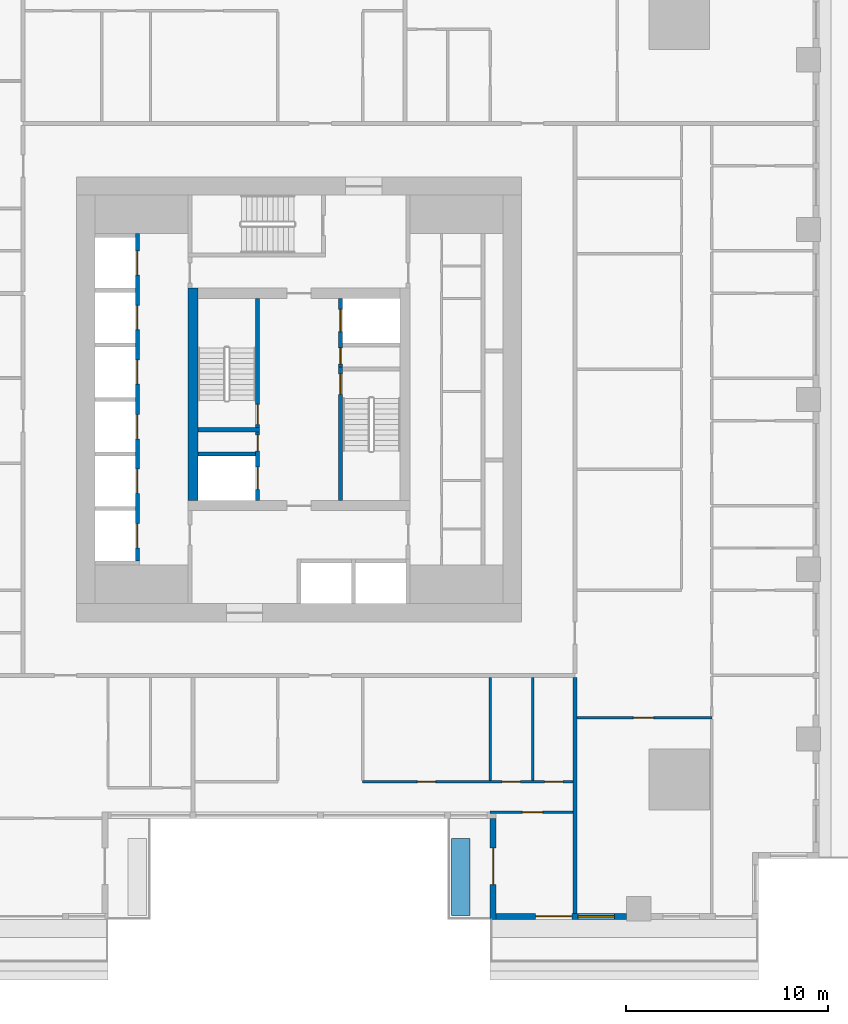
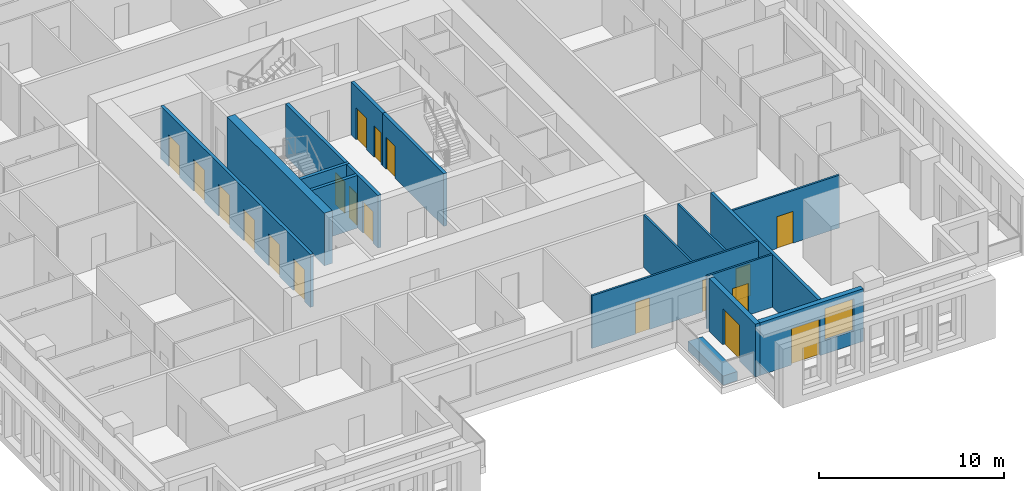
# One storey, part 4 of 15: 19 doors, 17 walls, 1 window, 20 openings.
"""IFC4 building model written with IfcOpenShell, lengths in metres."""

from ifc_helpers import new_model, si_unit, direction, frame, frame_2d, origin, place, context, subcontext, project, spatial, rectangle, extrude, material, layer, layer_set, type_object, element, fill, save


model = new_model("IFC4")

# Units and contexts
model_context = context("Model", 3, precision=1e-05, world=origin(), true_north=direction((0.0, 1.0)))
body_context = subcontext(model_context, "Body", "Model", "MODEL_VIEW")
ifc_project = project(units=[si_unit("LENGTHUNIT", "METRE"), si_unit("AREAUNIT", "SQUARE_METRE"), si_unit("VOLUMEUNIT", "CUBIC_METRE"), si_unit("PLANEANGLEUNIT", "RADIAN"), si_unit("MASSUNIT", "GRAM", prefix="KILO")], contexts=[model_context])

# Site, building, storey
site_placement = place(None, origin())
site = spatial("IfcSite", under=ifc_project, at=site_placement, CompositionType="ELEMENT")
building_placement = place(site_placement, origin())
building = spatial("IfcBuilding", under=site, at=building_placement, Name="Khepri Terraces", CompositionType="ELEMENT")
storey_placement = place(building_placement, frame((0.0, 0.0, 50.39990234375)))
storey = spatial("IfcBuildingStorey", under=building, at=storey_placement, Name="L11", CompositionType="ELEMENT", Elevation=50.39990234375)

# Wall, opening, door
ifc_material_1 = material(Name="Concrete C80/95", Category="concrete")
ifc_layer_1 = layer(ifc_material_1, 0.199951171875, Name="Concrete C80/95", Category="concrete")
ifc_layer_set_1 = layer_set([ifc_layer_1], Name="Concrete C80/95")
wall_type_1 = type_object("IfcWallType", Name="Core wall 200 C80/95", PredefinedType="SHEAR", material=ifc_layer_set_1)
wall_1_placement = place(storey_placement, frame((2.050048828125, -5.0, 0.0), z_axis=(0.0, 0.0, 1.0), x_axis=(0.0, 1.0, 0.0)))
wall_1 = element("IfcWall", 1, at=wall_1_placement, inside=storey, type_object=wall_type_1, Name="Core wall ST01 L11", PredefinedType="SHEAR", context=body_context, shape_type="SweptSolid", body=[
    extrude(rectangle(XDim=6.60009765625, YDim=0.199951171875, at=frame_2d((3.300048828125, 0.0))), origin(), (0.0, 0.0, 1.0), 3.47998046875),
])
opening_1_placement = place(wall_1_placement, frame((5.25, 0.0, 0.0)))
opening_1 = element("IfcOpeningElement", 2, at=opening_1_placement, cuts=wall_1, Name="Opening L11-C10", PredefinedType="OPENING", context=body_context, shape_type="SweptSolid", body=[
    extrude(rectangle(XDim=1.0, YDim=2.10009765625, at=frame_2d((0.5, 1.050048828125))), frame((0.0, 0.10986328125, 0.0), z_axis=(0.0, -1.0, 0.0), x_axis=(1.0, 0.0, 0.0)), (0.0, 0.0, 1.0), 0.219970703125),
])
ifc_material_2 = material(Name="Painted steel", Category="steel")
door_type_1 = type_object("IfcDoorType", Name="DR-CORE-STAIR-1000", OperationType="NOTDEFINED", PredefinedType="DOOR", material=ifc_material_2)
door_1_placement = place(opening_1_placement, frame((1.0, 0.0, 0.0), z_axis=(0.0, 0.0, 1.0), x_axis=(-1.0, 0.0, 0.0)))
door_1 = element("IfcDoor", 3, at=door_1_placement, inside=storey, type_object=door_type_1, Name="Stair door L11-C10", OperationType="SINGLE_SWING_LEFT", OverallHeight=2.10009765625, OverallWidth=1.0, PredefinedType="DOOR", context=body_context, shape_type="SweptSolid", body=[
    extrude(rectangle(XDim=1.0, YDim=2.10009765625, at=frame_2d((0.5, 1.050048828125))), frame((0.0, 0.02490234375, 0.0), z_axis=(0.0, -1.0, 0.0), x_axis=(1.0, 0.0, 0.0)), (0.0, 0.0, 1.0), 0.050048828125),
])
fill(opening_1, door_1)

# Wall
wall_2_placement = place(storey_placement, frame((-5.0, -1.5, 0.0), z_axis=(0.0, 0.0, 1.0), x_axis=(1.0, 0.0, 0.0)))
element("IfcWall", 4, at=wall_2_placement, inside=storey, type_object=wall_type_1, Name="Core wall ST02 L11", PredefinedType="SHEAR", context=body_context, shape_type="SweptSolid", body=[
    extrude(rectangle(XDim=3.050048828125, YDim=0.199951171875, at=frame_2d((1.52490234375, 0.0))), origin(), (0.0, 0.0, 1.0), 3.47998046875),
])

# Wall, opening, door
wall_3_placement = place(storey_placement, frame((-2.050048828125, -1.39990234375, 0.0), z_axis=(0.0, 0.0, 1.0), x_axis=(0.0, 1.0, 0.0)))
wall_3 = element("IfcWall", 5, at=wall_3_placement, inside=storey, type_object=wall_type_1, Name="Core wall ST03 L11", PredefinedType="SHEAR", context=body_context, shape_type="SweptSolid", body=[
    extrude(rectangle(XDim=6.39990234375, YDim=0.199951171875, at=frame_2d((3.199951171875, 0.0))), origin(), (0.0, 0.0, 1.0), 3.47998046875),
])
opening_2_placement = place(wall_3_placement, frame((0.14990234375, 0.0, 0.0)))
opening_2 = element("IfcOpeningElement", 6, at=opening_2_placement, cuts=wall_3, Name="Opening L11-C09", PredefinedType="OPENING", context=body_context, shape_type="SweptSolid", body=[
    extrude(rectangle(XDim=1.0, YDim=2.10009765625, at=frame_2d((0.5, 1.050048828125))), frame((0.0, 0.10986328125, 0.0), z_axis=(0.0, -1.0, 0.0), x_axis=(1.0, 0.0, 0.0)), (0.0, 0.0, 1.0), 0.219970703125),
])
door_2_placement = place(opening_2_placement, origin())
door_2 = element("IfcDoor", 7, at=door_2_placement, inside=storey, type_object=door_type_1, Name="Stair door L11-C09", OperationType="SINGLE_SWING_LEFT", OverallHeight=2.10009765625, OverallWidth=1.0, PredefinedType="DOOR", context=body_context, shape_type="SweptSolid", body=[
    extrude(rectangle(XDim=1.0, YDim=2.10009765625, at=frame_2d((0.5, 1.050048828125))), frame((0.0, 0.02490234375, 0.0), z_axis=(0.0, -1.0, 0.0), x_axis=(1.0, 0.0, 0.0)), (0.0, 0.0, 1.0), 0.050048828125),
])
fill(opening_2, door_2)

# Wall, openings, doors
wall_4_placement = place(storey_placement, frame((-8.0, -8.0, 0.0), z_axis=(0.0, 0.0, 1.0), x_axis=(0.0, 1.0, 0.0)))
wall_4 = element("IfcWall", 8, at=wall_4_placement, inside=storey, type_object=wall_type_1, Name="Core wall SH08 L11", PredefinedType="SHEAR", context=body_context, shape_type="SweptSolid", body=[
    extrude(rectangle(XDim=16.199951171875, YDim=0.199951171875, at=frame_2d((8.10009765625, 0.0))), origin(), (0.0, 0.0, 1.0), 3.47998046875),
])
opening_3_placement = place(wall_4_placement, frame((0.64990234375, 0.0, 0.0)))
opening_3 = element("IfcOpeningElement", 9, at=opening_3_placement, cuts=wall_4, Name="Opening L11-C01", PredefinedType="OPENING", context=body_context, shape_type="SweptSolid", body=[
    extrude(rectangle(XDim=1.199951171875, YDim=2.10009765625, at=frame_2d((0.60009765625, 1.050048828125))), frame((0.0, 0.10986328125, 0.0), z_axis=(0.0, -1.0, 0.0), x_axis=(1.0, 0.0, 0.0)), (0.0, 0.0, 1.0), 0.219970703125),
])
opening_4_placement = place(wall_4_placement, frame((3.35009765625, 0.0, 0.0)))
opening_4 = element("IfcOpeningElement", 10, at=opening_4_placement, cuts=wall_4, Name="Opening L11-C02", PredefinedType="OPENING", context=body_context, shape_type="SweptSolid", body=[
    extrude(rectangle(XDim=1.199951171875, YDim=2.10009765625, at=frame_2d((0.60009765625, 1.050048828125))), frame((0.0, 0.10986328125, 0.0), z_axis=(0.0, -1.0, 0.0), x_axis=(1.0, 0.0, 0.0)), (0.0, 0.0, 1.0), 0.219970703125),
])
opening_5_placement = place(wall_4_placement, frame((6.050048828125, 0.0, 0.0)))
opening_5 = element("IfcOpeningElement", 11, at=opening_5_placement, cuts=wall_4, Name="Opening L11-C03", PredefinedType="OPENING", context=body_context, shape_type="SweptSolid", body=[
    extrude(rectangle(XDim=1.199951171875, YDim=2.10009765625, at=frame_2d((0.60009765625, 1.050048828125))), frame((0.0, 0.10986328125, 0.0), z_axis=(0.0, -1.0, 0.0), x_axis=(1.0, 0.0, 0.0)), (0.0, 0.0, 1.0), 0.219970703125),
])
opening_6_placement = place(wall_4_placement, frame((8.75, 0.0, 0.0)))
opening_6 = element("IfcOpeningElement", 12, at=opening_6_placement, cuts=wall_4, Name="Opening L11-C04", PredefinedType="OPENING", context=body_context, shape_type="SweptSolid", body=[
    extrude(rectangle(XDim=1.199951171875, YDim=2.10009765625, at=frame_2d((0.60009765625, 1.050048828125))), frame((0.0, 0.10986328125, 0.0), z_axis=(0.0, -1.0, 0.0), x_axis=(1.0, 0.0, 0.0)), (0.0, 0.0, 1.0), 0.219970703125),
])
opening_7_placement = place(wall_4_placement, frame((11.449951171875, 0.0, 0.0)))
opening_7 = element("IfcOpeningElement", 13, at=opening_7_placement, cuts=wall_4, Name="Opening L11-C05", PredefinedType="OPENING", context=body_context, shape_type="SweptSolid", body=[
    extrude(rectangle(XDim=1.199951171875, YDim=2.10009765625, at=frame_2d((0.60009765625, 1.050048828125))), frame((0.0, 0.10986328125, 0.0), z_axis=(0.0, -1.0, 0.0), x_axis=(1.0, 0.0, 0.0)), (0.0, 0.0, 1.0), 0.219970703125),
])
opening_8_placement = place(wall_4_placement, frame((14.14990234375, 0.0, 0.0)))
opening_8 = element("IfcOpeningElement", 14, at=opening_8_placement, cuts=wall_4, Name="Opening L11-C06", PredefinedType="OPENING", context=body_context, shape_type="SweptSolid", body=[
    extrude(rectangle(XDim=1.199951171875, YDim=2.10009765625, at=frame_2d((0.60009765625, 1.050048828125))), frame((0.0, 0.10986328125, 0.0), z_axis=(0.0, -1.0, 0.0), x_axis=(1.0, 0.0, 0.0)), (0.0, 0.0, 1.0), 0.219970703125),
])
ifc_material_3 = material(Name="Stainless steel 304", Category="steel")
door_type_2 = type_object("IfcDoorType", Name="DR-CORE-LANDING-1200", OperationType="NOTDEFINED", PredefinedType="DOOR", material=ifc_material_3)
door_3_placement = place(opening_3_placement, origin())
door_3 = element("IfcDoor", 15, at=door_3_placement, inside=storey, type_object=door_type_2, Name="Lift landing door L11-C01", OperationType="SLIDING_TO_LEFT", OverallHeight=2.10009765625, OverallWidth=1.199951171875, PredefinedType="DOOR", context=body_context, shape_type="SweptSolid", body=[
    extrude(rectangle(XDim=1.199951171875, YDim=2.10009765625, at=frame_2d((0.60009765625, 1.050048828125))), frame((0.0, 0.02490234375, 0.0), z_axis=(0.0, -1.0, 0.0), x_axis=(1.0, 0.0, 0.0)), (0.0, 0.0, 1.0), 0.050048828125),
])
fill(opening_3, door_3)
door_4_placement = place(opening_4_placement, origin())
door_4 = element("IfcDoor", 16, at=door_4_placement, inside=storey, type_object=door_type_2, Name="Lift landing door L11-C02", OperationType="SLIDING_TO_LEFT", OverallHeight=2.10009765625, OverallWidth=1.199951171875, PredefinedType="DOOR", context=body_context, shape_type="SweptSolid", body=[
    extrude(rectangle(XDim=1.199951171875, YDim=2.10009765625, at=frame_2d((0.60009765625, 1.050048828125))), frame((0.0, 0.02490234375, 0.0), z_axis=(0.0, -1.0, 0.0), x_axis=(1.0, 0.0, 0.0)), (0.0, 0.0, 1.0), 0.050048828125),
])
fill(opening_4, door_4)
door_5_placement = place(opening_5_placement, origin())
door_5 = element("IfcDoor", 17, at=door_5_placement, inside=storey, type_object=door_type_2, Name="Lift landing door L11-C03", OperationType="SLIDING_TO_LEFT", OverallHeight=2.10009765625, OverallWidth=1.199951171875, PredefinedType="DOOR", context=body_context, shape_type="SweptSolid", body=[
    extrude(rectangle(XDim=1.199951171875, YDim=2.10009765625, at=frame_2d((0.60009765625, 1.050048828125))), frame((0.0, 0.02490234375, 0.0), z_axis=(0.0, -1.0, 0.0), x_axis=(1.0, 0.0, 0.0)), (0.0, 0.0, 1.0), 0.050048828125),
])
fill(opening_5, door_5)
door_6_placement = place(opening_6_placement, origin())
door_6 = element("IfcDoor", 18, at=door_6_placement, inside=storey, type_object=door_type_2, Name="Lift landing door L11-C04", OperationType="SLIDING_TO_LEFT", OverallHeight=2.10009765625, OverallWidth=1.199951171875, PredefinedType="DOOR", context=body_context, shape_type="SweptSolid", body=[
    extrude(rectangle(XDim=1.199951171875, YDim=2.10009765625, at=frame_2d((0.60009765625, 1.050048828125))), frame((0.0, 0.02490234375, 0.0), z_axis=(0.0, -1.0, 0.0), x_axis=(1.0, 0.0, 0.0)), (0.0, 0.0, 1.0), 0.050048828125),
])
fill(opening_6, door_6)
door_7_placement = place(opening_7_placement, origin())
door_7 = element("IfcDoor", 19, at=door_7_placement, inside=storey, type_object=door_type_2, Name="Lift landing door L11-C05", OperationType="SLIDING_TO_LEFT", OverallHeight=2.10009765625, OverallWidth=1.199951171875, PredefinedType="DOOR", context=body_context, shape_type="SweptSolid", body=[
    extrude(rectangle(XDim=1.199951171875, YDim=2.10009765625, at=frame_2d((0.60009765625, 1.050048828125))), frame((0.0, 0.02490234375, 0.0), z_axis=(0.0, -1.0, 0.0), x_axis=(1.0, 0.0, 0.0)), (0.0, 0.0, 1.0), 0.050048828125),
])
fill(opening_7, door_7)
door_8_placement = place(opening_8_placement, origin())
door_8 = element("IfcDoor", 20, at=door_8_placement, inside=storey, type_object=door_type_2, Name="Lift landing door L11-C06", OperationType="SLIDING_TO_LEFT", OverallHeight=2.10009765625, OverallWidth=1.199951171875, PredefinedType="DOOR", context=body_context, shape_type="SweptSolid", body=[
    extrude(rectangle(XDim=1.199951171875, YDim=2.10009765625, at=frame_2d((0.60009765625, 1.050048828125))), frame((0.0, 0.02490234375, 0.0), z_axis=(0.0, -1.0, 0.0), x_axis=(1.0, 0.0, 0.0)), (0.0, 0.0, 1.0), 0.050048828125),
])
fill(opening_8, door_8)

wall_5_placement = place(storey_placement, frame((-2.050048828125, -5.0, 0.0), z_axis=(0.0, 0.0, 1.0), x_axis=(0.0, 1.0, 0.0)))
wall_5 = element("IfcWall", 21, at=wall_5_placement, inside=storey, type_object=wall_type_1, Name="Core wall SH10 L11", PredefinedType="SHEAR", context=body_context, shape_type="SweptSolid", body=[
    extrude(rectangle(XDim=3.39990234375, YDim=0.199951171875, at=frame_2d((1.699951171875, 0.0))), origin(), (0.0, 0.0, 1.0), 3.47998046875),
])
opening_9_placement = place(wall_5_placement, frame((0.550048828125, 0.0, 0.0)))
opening_9 = element("IfcOpeningElement", 22, at=opening_9_placement, cuts=wall_5, Name="Opening L11-C08", PredefinedType="OPENING", context=body_context, shape_type="SweptSolid", body=[
    extrude(rectangle(XDim=1.10009765625, YDim=2.10009765625, at=frame_2d((0.550048828125, 1.050048828125))), frame((0.0, 0.10986328125, 0.0), z_axis=(0.0, -1.0, 0.0), x_axis=(1.0, 0.0, 0.0)), (0.0, 0.0, 1.0), 0.219970703125),
])
opening_10_placement = place(wall_5_placement, frame((2.449951171875, 0.0, 0.0)))
opening_10 = element("IfcOpeningElement", 23, at=opening_10_placement, cuts=wall_5, Name="Opening L11-C12", PredefinedType="OPENING", context=body_context, shape_type="SweptSolid", body=[
    extrude(rectangle(XDim=0.800048828125, YDim=2.10009765625, at=frame_2d((0.39990234375, 1.050048828125))), frame((0.0, 0.10986328125, 0.0), z_axis=(0.0, -1.0, 0.0), x_axis=(1.0, 0.0, 0.0)), (0.0, 0.0, 1.0), 0.219970703125),
])
door_type_3 = type_object("IfcDoorType", Name="DR-CORE-FF-LANDING-1100", OperationType="NOTDEFINED", PredefinedType="DOOR", material=ifc_material_3)
door_9_placement = place(opening_9_placement, origin())
door_9 = element("IfcDoor", 24, at=door_9_placement, inside=storey, type_object=door_type_3, Name="Firefighting lift landing door L11-C08", OperationType="SLIDING_TO_LEFT", OverallHeight=2.10009765625, OverallWidth=1.10009765625, PredefinedType="DOOR", context=body_context, shape_type="SweptSolid", body=[
    extrude(rectangle(XDim=1.10009765625, YDim=2.10009765625, at=frame_2d((0.550048828125, 1.050048828125))), frame((0.0, 0.02490234375, 0.0), z_axis=(0.0, -1.0, 0.0), x_axis=(1.0, 0.0, 0.0)), (0.0, 0.0, 1.0), 0.050048828125),
])
fill(opening_9, door_9)
door_type_4 = type_object("IfcDoorType", Name="DR-CORE-RISER-800", OperationType="NOTDEFINED", PredefinedType="DOOR", material=ifc_material_2)
door_10_placement = place(opening_10_placement, origin())
door_10 = element("IfcDoor", 25, at=door_10_placement, inside=storey, type_object=door_type_4, Name="Riser door L11-C12", OperationType="SINGLE_SWING_RIGHT", OverallHeight=2.10009765625, OverallWidth=0.800048828125, PredefinedType="DOOR", context=body_context, shape_type="SweptSolid", body=[
    extrude(rectangle(XDim=0.800048828125, YDim=2.10009765625, at=frame_2d((0.39990234375, 1.050048828125))), frame((0.0, 0.02490234375, 0.0), z_axis=(0.0, -1.0, 0.0), x_axis=(1.0, 0.0, 0.0)), (0.0, 0.0, 1.0), 0.050048828125),
])
fill(opening_10, door_10)

# Wall
wall_6_placement = place(storey_placement, frame((-5.0, -2.699951171875, 0.0), z_axis=(0.0, 0.0, 1.0), x_axis=(1.0, 0.0, 0.0)))
element("IfcWall", 26, at=wall_6_placement, inside=storey, type_object=wall_type_1, Name="Core wall SH13 L11", PredefinedType="SHEAR", context=body_context, shape_type="SweptSolid", body=[
    extrude(rectangle(XDim=2.85009765625, YDim=0.199951171875, at=frame_2d((1.425048828125, 0.0))), origin(), (0.0, 0.0, 1.0), 3.47998046875),
])

# Wall, openings, doors
wall_7_placement = place(storey_placement, frame((2.050048828125, 1.60009765625, 0.0), z_axis=(0.0, 0.0, 1.0), x_axis=(0.0, 1.0, 0.0)))
wall_7 = element("IfcWall", 27, at=wall_7_placement, inside=storey, type_object=wall_type_1, Name="Core wall SH15 L11", PredefinedType="SHEAR", context=body_context, shape_type="SweptSolid", body=[
    extrude(rectangle(XDim=3.39990234375, YDim=0.199951171875, at=frame_2d((1.699951171875, 0.0))), origin(), (0.0, 0.0, 1.0), 3.47998046875),
])
opening_11_placement = place(wall_7_placement, frame((1.75, 0.0, 0.0)))
opening_11 = element("IfcOpeningElement", 28, at=opening_11_placement, cuts=wall_7, Name="Opening L11-C07", PredefinedType="OPENING", context=body_context, shape_type="SweptSolid", body=[
    extrude(rectangle(XDim=1.10009765625, YDim=2.10009765625, at=frame_2d((0.550048828125, 1.050048828125))), frame((0.0, 0.10986328125, 0.0), z_axis=(0.0, -1.0, 0.0), x_axis=(1.0, 0.0, 0.0)), (0.0, 0.0, 1.0), 0.219970703125),
])
opening_12_placement = place(wall_7_placement, frame((0.14990234375, 0.0, 0.0)))
opening_12 = element("IfcOpeningElement", 29, at=opening_12_placement, cuts=wall_7, Name="Opening L11-C11", PredefinedType="OPENING", context=body_context, shape_type="SweptSolid", body=[
    extrude(rectangle(XDim=0.800048828125, YDim=2.10009765625, at=frame_2d((0.39990234375, 1.050048828125))), frame((0.0, 0.10986328125, 0.0), z_axis=(0.0, -1.0, 0.0), x_axis=(1.0, 0.0, 0.0)), (0.0, 0.0, 1.0), 0.219970703125),
])
door_11_placement = place(opening_11_placement, origin())
door_11 = element("IfcDoor", 30, at=door_11_placement, inside=storey, type_object=door_type_3, Name="Firefighting lift landing door L11-C07", OperationType="SLIDING_TO_LEFT", OverallHeight=2.10009765625, OverallWidth=1.10009765625, PredefinedType="DOOR", context=body_context, shape_type="SweptSolid", body=[
    extrude(rectangle(XDim=1.10009765625, YDim=2.10009765625, at=frame_2d((0.550048828125, 1.050048828125))), frame((0.0, 0.02490234375, 0.0), z_axis=(0.0, -1.0, 0.0), x_axis=(1.0, 0.0, 0.0)), (0.0, 0.0, 1.0), 0.050048828125),
])
fill(opening_11, door_11)
door_12_placement = place(opening_12_placement, frame((0.800048828125, 0.0, 0.0), z_axis=(0.0, 0.0, 1.0), x_axis=(-1.0, 0.0, 0.0)))
door_12 = element("IfcDoor", 31, at=door_12_placement, inside=storey, type_object=door_type_4, Name="Riser door L11-C11", OperationType="SINGLE_SWING_RIGHT", OverallHeight=2.10009765625, OverallWidth=0.800048828125, PredefinedType="DOOR", context=body_context, shape_type="SweptSolid", body=[
    extrude(rectangle(XDim=0.800048828125, YDim=2.10009765625, at=frame_2d((0.39990234375, 1.050048828125))), frame((0.0, 0.02490234375, 0.0), z_axis=(0.0, -1.0, 0.0), x_axis=(1.0, 0.0, 0.0)), (0.0, 0.0, 1.0), 0.050048828125),
])
fill(opening_12, door_12)

# Walls
ifc_layer_2 = layer(ifc_material_1, 0.5, Name="Concrete C80/95", Category="concrete")
ifc_layer_set_2 = layer_set([ifc_layer_2], Name="Concrete C80/95")
wall_type_2 = type_object("IfcWallType", Name="Core wall 500 C80/95", PredefinedType="SHEAR", material=ifc_layer_set_2)
wall_8_placement = place(storey_placement, frame((-5.25, -5.0, 0.0), z_axis=(0.0, 0.0, 1.0), x_axis=(0.0, 1.0, 0.0)))
element("IfcWall", 32, at=wall_8_placement, inside=storey, type_object=wall_type_2, Name="Core wall BX02 L11", PredefinedType="SHEAR", context=body_context, shape_type="SweptSolid", body=[
    extrude(rectangle(XDim=10.5, YDim=0.5, at=frame_2d((5.25, 0.0))), origin(), (0.0, 0.0, 1.0), 3.47998046875),
])
ifc_material_4 = material(Name="Fire-rated gypsum plasterboard partition, mineral wool")
ifc_layer_3 = layer(ifc_material_4, 0.199951171875, Name="Fire-rated gypsum plasterboard partition, mineral wool")
ifc_layer_set_3 = layer_set([ifc_layer_3], Name="Fire-rated gypsum plasterboard partition, mineral wool")
wall_type_3 = type_object("IfcWallType", Name="WL-CORR-200", PredefinedType="PARTITIONING", material=ifc_layer_set_3)
wall_9_placement = place(storey_placement, frame((13.64990234375, -25.419921875, 0.0), z_axis=(0.0, 0.0, 1.0), x_axis=(0.0, 1.0, 0.0)))
element("IfcWall", 33, at=wall_9_placement, inside=storey, type_object=wall_type_3, Name="Partition P-001 L11", PredefinedType="PARTITIONING", context=body_context, shape_type="SweptSolid", body=[
    extrude(rectangle(XDim=11.669921875, YDim=0.199951171875, at=frame_2d((5.8349609375, 0.0))), origin(), (0.0, 0.0, 1.0), 3.47998046875),
])

# Wall, opening, door
ifc_material_5 = material(Name="Precast concrete C50/60 warm stone", Category="masonry")
ifc_layer_4 = layer(ifc_material_5, 0.300048828125, Name="Precast concrete C50/60 warm stone", Category="masonry")
ifc_layer_set_4 = layer_set([ifc_layer_4], Name="Precast concrete C50/60 warm stone")
wall_type_4 = type_object("IfcWallType", Name="WL-EXT-PRECAST-300", PredefinedType="STANDARD", material=ifc_layer_set_4)
wall_10_placement = place(storey_placement, frame((9.60009765625, -20.719970703125, 0.0), z_axis=(0.0, 0.0, 1.0), x_axis=(0.0, -1.0, 0.0)))
wall_10 = element("IfcWall", 34, at=wall_10_placement, inside=storey, type_object=wall_type_4, Name="External wall L11 W", PredefinedType="STANDARD", context=body_context, shape_type="SweptSolid", body=[
    extrude(rectangle(XDim=5.0, YDim=0.300048828125, at=frame_2d((2.5, 0.0))), origin(), (0.0, 0.0, 1.0), 3.47998046875),
])
opening_13_placement = place(wall_10_placement, frame((1.47998046875, 0.0, 0.0)))
opening_13 = element("IfcOpeningElement", 35, at=opening_13_placement, cuts=wall_10, Name="Opening ED-L11-20", PredefinedType="OPENING", context=body_context, shape_type="SweptSolid", body=[
    extrude(rectangle(XDim=1.800048828125, YDim=2.39990234375, at=frame_2d((0.89990234375, 1.199951171875))), frame((0.0, 0.16015625, 0.0), z_axis=(0.0, -1.0, 0.0), x_axis=(1.0, 0.0, 0.0)), (0.0, 0.0, 1.0), 0.320068359375),
])
ifc_material_6 = material(Name="Anodised aluminium bronze glazed door", Category="aluminium")
door_type_5 = type_object("IfcDoorType", Name="DR-BAL-SLIDE-1800x2400", OperationType="NOTDEFINED", PredefinedType="DOOR", material=ifc_material_6)
door_13_placement = place(opening_13_placement, origin())
door_13 = element("IfcDoor", 36, at=door_13_placement, inside=storey, type_object=door_type_5, Name="Balcony door L11 W", OperationType="SLIDING_TO_RIGHT", OverallHeight=2.39990234375, OverallWidth=1.800048828125, PredefinedType="DOOR", context=body_context, shape_type="SweptSolid", body=[
    extrude(rectangle(XDim=1.800048828125, YDim=2.39990234375, at=frame_2d((0.89990234375, 1.199951171875))), frame((0.0, 0.02490234375, 0.0), z_axis=(0.0, -1.0, 0.0), x_axis=(1.0, 0.0, 0.0)), (0.0, 0.0, 1.0), 0.050048828125),
])
fill(opening_13, door_13)

# Wall, openings, door, window
wall_11_placement = place(storey_placement, frame((9.75, -25.570068359375, 0.0), z_axis=(0.0, 0.0, 1.0), x_axis=(1.0, 0.0, 0.0)))
wall_11 = element("IfcWall", 37, at=wall_11_placement, inside=storey, type_object=wall_type_4, Name="External wall L11 S", PredefinedType="STANDARD", context=body_context, shape_type="SweptSolid", body=[
    extrude(rectangle(XDim=6.449951171875, YDim=0.300048828125, at=frame_2d((3.22509765625, 0.0))), origin(), (0.0, 0.0, 1.0), 3.47998046875),
])
opening_14_placement = place(wall_11_placement, frame((1.949951171875, 0.0, 0.0)))
opening_14 = element("IfcOpeningElement", 38, at=opening_14_placement, cuts=wall_11, Name="Opening ED-L11-21", PredefinedType="OPENING", context=body_context, shape_type="SweptSolid", body=[
    extrude(rectangle(XDim=1.800048828125, YDim=2.39990234375, at=frame_2d((0.89990234375, 1.199951171875))), frame((0.0, 0.16015625, 0.0), z_axis=(0.0, -1.0, 0.0), x_axis=(1.0, 0.0, 0.0)), (0.0, 0.0, 1.0), 0.320068359375),
])
opening_15_placement = place(wall_11_placement, frame((4.050048828125, 0.0, 0.89990234375)))
opening_15 = element("IfcOpeningElement", 39, at=opening_15_placement, cuts=wall_11, Name="Opening W1", PredefinedType="OPENING", context=body_context, shape_type="SweptSolid", body=[
    extrude(rectangle(XDim=1.800048828125, YDim=2.10009765625, at=frame_2d((0.89990234375, 1.050048828125))), frame((0.0, 0.16015625, 0.0), z_axis=(0.0, -1.0, 0.0), x_axis=(1.0, 0.0, 0.0)), (0.0, 0.0, 1.0), 0.320068359375),
])
door_14_placement = place(opening_14_placement, origin())
door_14 = element("IfcDoor", 40, at=door_14_placement, inside=storey, type_object=door_type_5, Name="Balcony door L11 S", OperationType="SLIDING_TO_RIGHT", OverallHeight=2.39990234375, OverallWidth=1.800048828125, PredefinedType="DOOR", context=body_context, shape_type="SweptSolid", body=[
    extrude(rectangle(XDim=1.800048828125, YDim=2.39990234375, at=frame_2d((0.89990234375, 1.199951171875))), frame((0.0, 0.02490234375, 0.0), z_axis=(0.0, -1.0, 0.0), x_axis=(1.0, 0.0, 0.0)), (0.0, 0.0, 1.0), 0.050048828125),
])
fill(opening_14, door_14)
ifc_material_7 = material(Name="Clear glass", Category="glass")
window_type = type_object("IfcWindowType", Name="WIN-RES-1800x2100", PartitioningType="SINGLE_PANEL", PredefinedType="WINDOW", material=ifc_material_7)
window_placement = place(opening_15_placement, origin())
window = element("IfcWindow", 41, at=window_placement, inside=storey, type_object=window_type, Name="Window L11 S", OverallHeight=2.10009765625, OverallWidth=1.800048828125, PartitioningType="SINGLE_PANEL", PredefinedType="WINDOW", context=body_context, shape_type="SweptSolid", body=[
    extrude(rectangle(XDim=1.800048828125, YDim=2.10009765625, at=frame_2d((0.89990234375, 1.050048828125))), frame((0.0, 0.030029296875, 0.0), z_axis=(0.0, -1.0, 0.0), x_axis=(1.0, 0.0, 0.0)), (0.0, 0.0, 1.0), 0.06005859375),
])
fill(opening_15, window)

# Wall, opening, door
ifc_material_8 = material(Name="Gypsum plasterboard partition")
ifc_layer_5 = layer(ifc_material_8, 0.1201171875, Name="Gypsum plasterboard partition")
ifc_layer_set_5 = layer_set([ifc_layer_5], Name="Gypsum plasterboard partition")
wall_type_5 = type_object("IfcWallType", Name="WL-PART-120", PredefinedType="PARTITIONING", material=ifc_layer_set_5)
wall_12_placement = place(storey_placement, frame((9.449951171875, -20.419921875, 0.0), z_axis=(0.0, 0.0, 1.0), x_axis=(1.0, 0.0, 0.0)))
wall_12 = element("IfcWall", 42, at=wall_12_placement, inside=storey, type_object=wall_type_5, Name="Partition P-008 L11", PredefinedType="PARTITIONING", context=body_context, shape_type="SweptSolid", body=[
    extrude(rectangle(XDim=4.10009765625, YDim=0.1201171875, at=frame_2d((2.050048828125, 0.0))), origin(), (0.0, 0.0, 1.0), 3.47998046875),
])
opening_16_placement = place(wall_12_placement, frame((1.60009765625, 0.0, 0.0)))
opening_16 = element("IfcOpeningElement", 43, at=opening_16_placement, cuts=wall_12, Name="Opening D2", PredefinedType="OPENING", context=body_context, shape_type="SweptSolid", body=[
    extrude(rectangle(XDim=1.0, YDim=2.10009765625, at=frame_2d((0.5, 1.050048828125))), frame((0.0, 0.070068359375, 0.0), z_axis=(0.0, -1.0, 0.0), x_axis=(1.0, 0.0, 0.0)), (0.0, 0.0, 1.0), 0.14013671875),
])
ifc_material_9 = material(Name="Timber door leaf, living room door", Category="wood")
door_type_6 = type_object("IfcDoorType", Name="DR-INT-1000", OperationType="NOTDEFINED", PredefinedType="DOOR", material=ifc_material_9)
door_15_placement = place(opening_16_placement, frame((1.0, 0.0, 0.0), z_axis=(0.0, 0.0, 1.0), x_axis=(-1.0, 0.0, 0.0)))
door_15 = element("IfcDoor", 44, at=door_15_placement, inside=storey, type_object=door_type_6, Name="Door Living Room", OperationType="SINGLE_SWING_LEFT", OverallHeight=2.10009765625, OverallWidth=1.0, PredefinedType="DOOR", context=body_context, shape_type="SweptSolid", body=[
    extrude(rectangle(XDim=1.0, YDim=2.10009765625, at=frame_2d((0.5, 1.050048828125))), frame((0.0, 0.02490234375, 0.0), z_axis=(0.0, -1.0, 0.0), x_axis=(1.0, 0.0, 0.0)), (0.0, 0.0, 1.0), 0.050048828125),
])
fill(opening_16, door_15)

# Wall, openings, doors
wall_13_placement = place(storey_placement, frame((3.14990234375, -18.919921875, 0.0), z_axis=(0.0, 0.0, 1.0), x_axis=(1.0, 0.0, 0.0)))
wall_13 = element("IfcWall", 45, at=wall_13_placement, inside=storey, type_object=wall_type_5, Name="Partition P-013 L11", PredefinedType="PARTITIONING", context=body_context, shape_type="SweptSolid", body=[
    extrude(rectangle(XDim=10.400146484375, YDim=0.1201171875, at=frame_2d((5.2001953125, 0.0))), origin(), (0.0, 0.0, 1.0), 3.47998046875),
])
opening_17_placement = place(wall_13_placement, frame((2.699951171875, 0.0, 0.0)))
opening_17 = element("IfcOpeningElement", 46, at=opening_17_placement, cuts=wall_13, Name="Opening D3", PredefinedType="OPENING", context=body_context, shape_type="SweptSolid", body=[
    extrude(rectangle(XDim=0.89990234375, YDim=2.10009765625, at=frame_2d((0.449951171875, 1.050048828125))), frame((0.0, 0.070068359375, 0.0), z_axis=(0.0, -1.0, 0.0), x_axis=(1.0, 0.0, 0.0)), (0.0, 0.0, 1.0), 0.14013671875),
])
opening_18_placement = place(wall_13_placement, frame((6.89990234375, 0.0, 0.0)))
opening_18 = element("IfcOpeningElement", 47, at=opening_18_placement, cuts=wall_13, Name="Opening D4", PredefinedType="OPENING", context=body_context, shape_type="SweptSolid", body=[
    extrude(rectangle(XDim=0.89990234375, YDim=2.10009765625, at=frame_2d((0.449951171875, 1.050048828125))), frame((0.0, 0.070068359375, 0.0), z_axis=(0.0, -1.0, 0.0), x_axis=(1.0, 0.0, 0.0)), (0.0, 0.0, 1.0), 0.14013671875),
])
opening_19_placement = place(wall_13_placement, frame((9.0, 0.0, 0.0)))
opening_19 = element("IfcOpeningElement", 48, at=opening_19_placement, cuts=wall_13, Name="Opening D3", PredefinedType="OPENING", context=body_context, shape_type="SweptSolid", body=[
    extrude(rectangle(XDim=0.89990234375, YDim=2.10009765625, at=frame_2d((0.449951171875, 1.050048828125))), frame((0.0, 0.070068359375, 0.0), z_axis=(0.0, -1.0, 0.0), x_axis=(1.0, 0.0, 0.0)), (0.0, 0.0, 1.0), 0.14013671875),
])
ifc_material_10 = material(Name="Timber door leaf", Category="wood")
door_type_7 = type_object("IfcDoorType", Name="DR-INT-900", OperationType="NOTDEFINED", PredefinedType="DOOR", material=ifc_material_10)
door_16_placement = place(opening_17_placement, origin())
door_16 = element("IfcDoor", 49, at=door_16_placement, inside=storey, type_object=door_type_7, Name="Door Kitchen", OperationType="SINGLE_SWING_LEFT", OverallHeight=2.10009765625, OverallWidth=0.89990234375, PredefinedType="DOOR", context=body_context, shape_type="SweptSolid", body=[
    extrude(rectangle(XDim=0.89990234375, YDim=2.10009765625, at=frame_2d((0.449951171875, 1.050048828125))), frame((0.0, 0.02490234375, 0.0), z_axis=(0.0, -1.0, 0.0), x_axis=(1.0, 0.0, 0.0)), (0.0, 0.0, 1.0), 0.050048828125),
])
fill(opening_17, door_16)
door_17_placement = place(opening_19_placement, origin())
door_17 = element("IfcDoor", 50, at=door_17_placement, inside=storey, type_object=door_type_7, Name="Door Utility Room", OperationType="SINGLE_SWING_RIGHT", OverallHeight=2.10009765625, OverallWidth=0.89990234375, PredefinedType="DOOR", context=body_context, shape_type="SweptSolid", body=[
    extrude(rectangle(XDim=0.89990234375, YDim=2.10009765625, at=frame_2d((0.449951171875, 1.050048828125))), frame((0.0, 0.02490234375, 0.0), z_axis=(0.0, -1.0, 0.0), x_axis=(1.0, 0.0, 0.0)), (0.0, 0.0, 1.0), 0.050048828125),
])
fill(opening_19, door_17)
ifc_material_11 = material(Name="Timber door leaf, moisture resistant", Category="wood")
door_type_8 = type_object("IfcDoorType", Name="DR-WET-900", OperationType="NOTDEFINED", PredefinedType="DOOR", material=ifc_material_11)
door_18_placement = place(opening_18_placement, origin())
door_18 = element("IfcDoor", 51, at=door_18_placement, inside=storey, type_object=door_type_8, Name="Door Guest Bathroom", OperationType="SINGLE_SWING_RIGHT", OverallHeight=2.10009765625, OverallWidth=0.89990234375, PredefinedType="DOOR", context=body_context, shape_type="SweptSolid", body=[
    extrude(rectangle(XDim=0.89990234375, YDim=2.10009765625, at=frame_2d((0.449951171875, 1.050048828125))), frame((0.0, 0.02490234375, 0.0), z_axis=(0.0, -1.0, 0.0), x_axis=(1.0, 0.0, 0.0)), (0.0, 0.0, 1.0), 0.050048828125),
])
fill(opening_18, door_18)

# Walls
for number, where, z_axis, x_axis, name in (
    (52, (9.449951171875, -18.860107421875, 0.0), (0.0, 0.0, 1.0), (0.0, 1.0, 0.0), "Partition P-016 L11"),
    (53, (11.550048828125, -18.860107421875, 0.0), (0.0, 0.0, 1.0), (0.0, 1.0, 0.0), "Partition P-017 L11"),
):
    element("IfcWall", number, at=place(storey_placement, frame(where, z_axis=z_axis, x_axis=x_axis)), inside=storey, type_object=wall_type_5, Name=name, PredefinedType="PARTITIONING", context=body_context, shape_type="SweptSolid", body=[
        extrude(rectangle(XDim=5.110107421875, YDim=0.1201171875, at=frame_2d((2.55517578125, 0.0))), origin(), (0.0, 0.0, 1.0), 3.47998046875),
    ])

# Wall, opening, door
wall_14_placement = place(storey_placement, frame((13.75, -15.75, 0.0), z_axis=(0.0, 0.0, 1.0), x_axis=(1.0, 0.0, 0.0)))
wall_14 = element("IfcWall", 54, at=wall_14_placement, inside=storey, type_object=wall_type_5, Name="Partition P-018 L11", PredefinedType="PARTITIONING", context=body_context, shape_type="SweptSolid", body=[
    extrude(rectangle(XDim=6.669921875, YDim=0.1201171875, at=frame_2d((3.3349609375, 0.0))), origin(), (0.0, 0.0, 1.0), 3.47998046875),
])
opening_20_placement = place(wall_14_placement, frame((2.784912109375, 0.0, 0.0)))
opening_20 = element("IfcOpeningElement", 55, at=opening_20_placement, cuts=wall_14, Name="Opening D2", PredefinedType="OPENING", context=body_context, shape_type="SweptSolid", body=[
    extrude(rectangle(XDim=1.0, YDim=2.10009765625, at=frame_2d((0.5, 1.050048828125))), frame((0.0, 0.070068359375, 0.0), z_axis=(0.0, -1.0, 0.0), x_axis=(1.0, 0.0, 0.0)), (0.0, 0.0, 1.0), 0.14013671875),
])
door_19_placement = place(opening_20_placement, frame((1.0, 0.0, 0.0), z_axis=(0.0, 0.0, 1.0), x_axis=(-1.0, 0.0, 0.0)))
door_19 = element("IfcDoor", 56, at=door_19_placement, inside=storey, type_object=door_type_6, Name="Door Family Room", OperationType="SINGLE_SWING_RIGHT", OverallHeight=2.10009765625, OverallWidth=1.0, PredefinedType="DOOR", context=body_context, shape_type="SweptSolid", body=[
    extrude(rectangle(XDim=1.0, YDim=2.10009765625, at=frame_2d((0.5, 1.050048828125))), frame((0.0, 0.02490234375, 0.0), z_axis=(0.0, -1.0, 0.0), x_axis=(1.0, 0.0, 0.0)), (0.0, 0.0, 1.0), 0.050048828125),
])
fill(opening_20, door_19)

# Wall
ifc_layer_6 = layer(ifc_material_5, 0.89990234375, Name="Precast concrete C50/60 warm stone", Category="masonry")
ifc_layer_set_6 = layer_set([ifc_layer_6], Name="Precast concrete C50/60 warm stone")
wall_type_6 = type_object("IfcWallType", Name="WL-PLANTER-900", PredefinedType="MOVABLE", material=ifc_layer_set_6)
wall_15_placement = place(storey_placement, frame((8.0, -25.52001953125, 0.0), z_axis=(0.0, 0.0, 1.0), x_axis=(0.0, 1.0, 0.0)))
element("IfcWall", 57, at=wall_15_placement, inside=storey, type_object=wall_type_6, Name="Planter L11", PredefinedType="MOVABLE", context=body_context, shape_type="SweptSolid", body=[
    extrude(rectangle(XDim=3.800048828125, YDim=0.89990234375, at=frame_2d((1.89990234375, 0.0))), origin(), (0.0, 0.0, 1.0), 0.60009765625),
])

save(model, "model.ifc")
